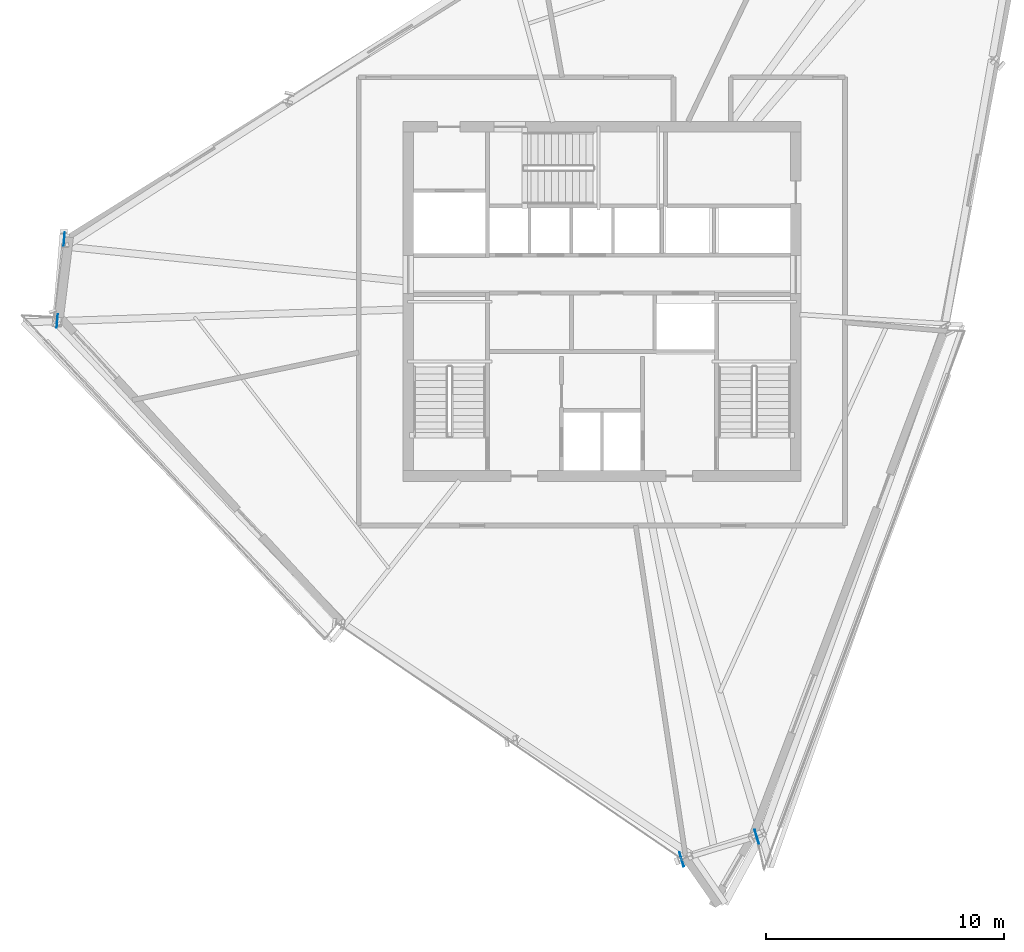
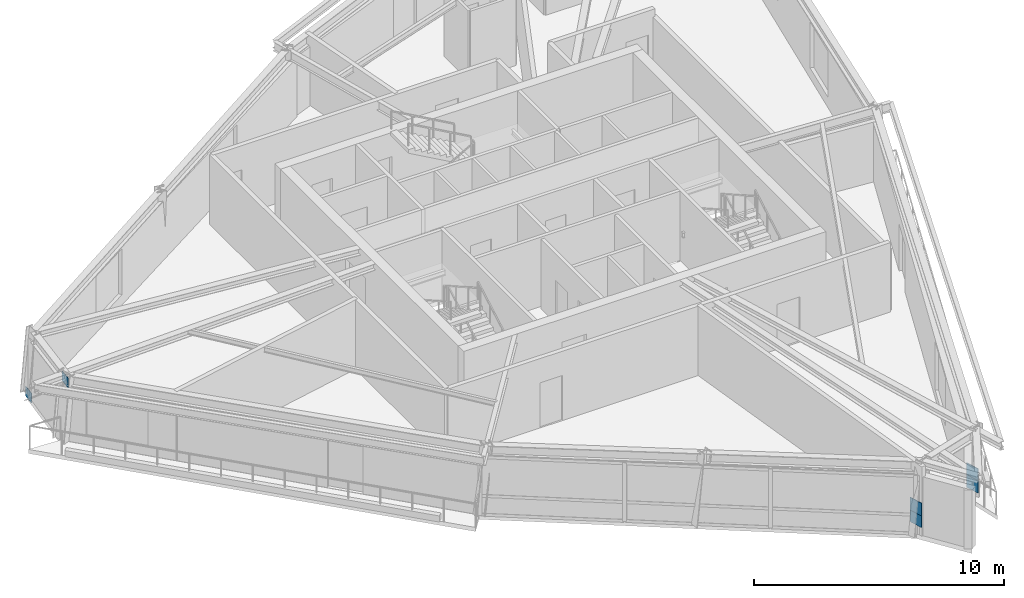
# One storey, part 6 of 13: 6 plates.
"""IFC4 building model written with IfcOpenShell, lengths in metres."""

from ifc_helpers import new_model, si_unit, direction, frame, origin, origin_2d, place, context, subcontext, project, spatial, rectangle, extrude, source, transform, mapped, material, type_object, element, save


model = new_model("IFC4")

# Units and contexts
model_context = context("Model", 3, precision=1e-05, world=origin(), true_north=direction((0.0, 1.0)))
body_context = subcontext(model_context, "Body", "Model", "MODEL_VIEW")
ifc_project = project(units=[si_unit("LENGTHUNIT", "METRE"), si_unit("AREAUNIT", "SQUARE_METRE"), si_unit("VOLUMEUNIT", "CUBIC_METRE"), si_unit("PLANEANGLEUNIT", "RADIAN"), si_unit("MASSUNIT", "GRAM", prefix="KILO")], contexts=[model_context])

# Site, building, storey
site_placement = place(None, origin())
site = spatial("IfcSite", under=ifc_project, at=site_placement, CompositionType="ELEMENT")
building_placement = place(site_placement, origin())
building = spatial("IfcBuilding", under=site, at=building_placement, Name="Olszyna Solenne Hotel", CompositionType="ELEMENT")
storey_placement = place(building_placement, frame((0.0, 0.0, 241.699951171875)))
storey = spatial("IfcBuildingStorey", under=building, at=storey_placement, Name="L64", CompositionType="ELEMENT", Elevation=241.699951171875)

# Plates
ifc_material_1 = material(Name="Steel S460M", Category="steel")
plate_type_1 = type_object("IfcPlateType", Name="GP-CAP2", PredefinedType="USERDEFINED", material=ifc_material_1)
shared_shape_1 = source(origin(), body_context, "Body", "SweptSolid", [
    extrude(rectangle(XDim=0.030029296875, YDim=0.6201171875, at=origin_2d()), origin(), (0.0, 0.0, 1.0), 0.6201171875),
])
for number, where, z_axis, x_axis, name in (
    (1, (41.34228515625, 3.193115234375, 1.0400390625), (0.0, 0.0, 1.0), (0.957822494845, 0.28736051985, 0.0), "Hollow section end-cap plate GP-CAP2 CP-PR-M-L64-PR1-1"),
    (2, (44.496337890625, 4.139404296875, 1.0400390625), (0.0, 0.0, 1.0), (0.957822494845, 0.28736051985, 0.0), "Hollow section end-cap plate GP-CAP2 CP-PR-M-L64-PR1-2"),
    (3, (41.34228515625, 3.193115234375, 0.469970703125), (0.0, 0.0, 1.0), (0.957822494845, 0.28736051985, 0.0), "Hollow section end-cap plate GP-CAP2 CP-PR-M-L64-PR2-1"),
    (4, (44.496337890625, 4.139404296875, 0.469970703125), (0.0, 0.0, 1.0), (0.957822494845, 0.28736051985, 0.0), "Hollow section end-cap plate GP-CAP2 CP-PR-M-L64-PR2-2"),
):
    element("IfcPlate", number, at=place(storey_placement, frame(where, z_axis=z_axis, x_axis=x_axis)), inside=storey, type_object=plate_type_1, Name=name, ObjectType="GUSSET_PLATE", PredefinedType="USERDEFINED", context=body_context, shape_type="MappedRepresentation", body=[
        mapped(shared_shape_1, transform((0.0, 0.0, 0.0), x_axis=(1.0, 0.0, 0.0), y_axis=(0.0, 1.0, 0.0), z_axis=(0.0, 0.0, 1.0), scale=1.0)),
    ])
ifc_material_2 = material(Name="Steel S355J2", Category="steel")
plate_type_2 = type_object("IfcPlateType", Name="GP-ND2", PredefinedType="USERDEFINED", material=ifc_material_2)
shared_shape_2 = source(origin(), body_context, "Body", "SweptSolid", [
    extrude(rectangle(XDim=0.56005859375, YDim=0.02001953125, at=origin_2d()), origin(), (0.0, 0.0, 1.0), 0.47998046875),
])
for number, where, z_axis, x_axis, name in (
    (5, (15.445556640625, 29.2060546875, -0.1396484375), (0.0, 0.0, 1.0), (-0.084547415428, -0.996419457129, 0.0), "Brace end connection gusset plate GP-ND2 EP-BR-L64-2-1"),
    (6, (15.15380859375, 25.768310546875, 2.774658203125), (0.0, 0.0, 1.0), (-0.084547415428, -0.996419457129, 0.0), "Brace end connection gusset plate GP-ND2 EP-BR-L64-2-2"),
):
    element("IfcPlate", number, at=place(storey_placement, frame(where, z_axis=z_axis, x_axis=x_axis)), inside=storey, type_object=plate_type_2, Name=name, ObjectType="GUSSET_PLATE", PredefinedType="USERDEFINED", context=body_context, shape_type="MappedRepresentation", body=[
        mapped(shared_shape_2, transform((0.0, 0.0, 0.0), x_axis=(1.0, 0.0, 0.0), y_axis=(0.0, 1.0, 0.0), z_axis=(0.0, 0.0, 1.0), scale=1.0)),
    ])

save(model, "model.ifc")
